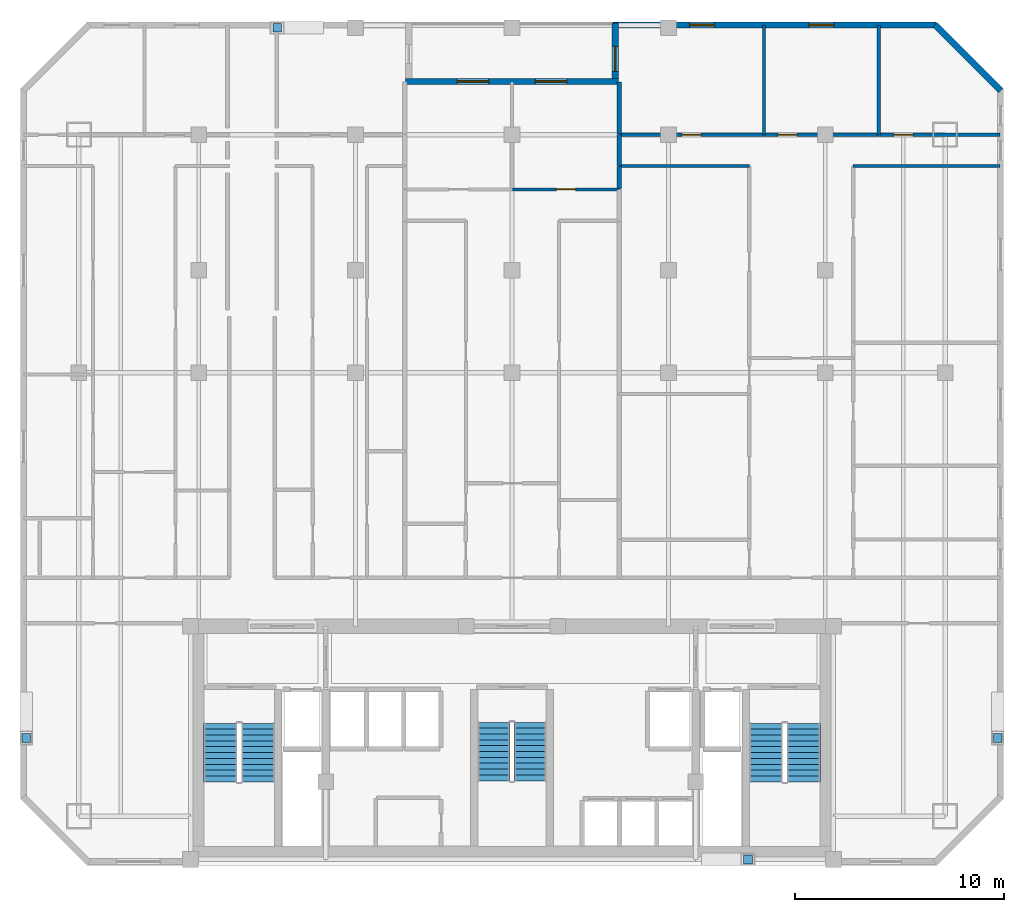
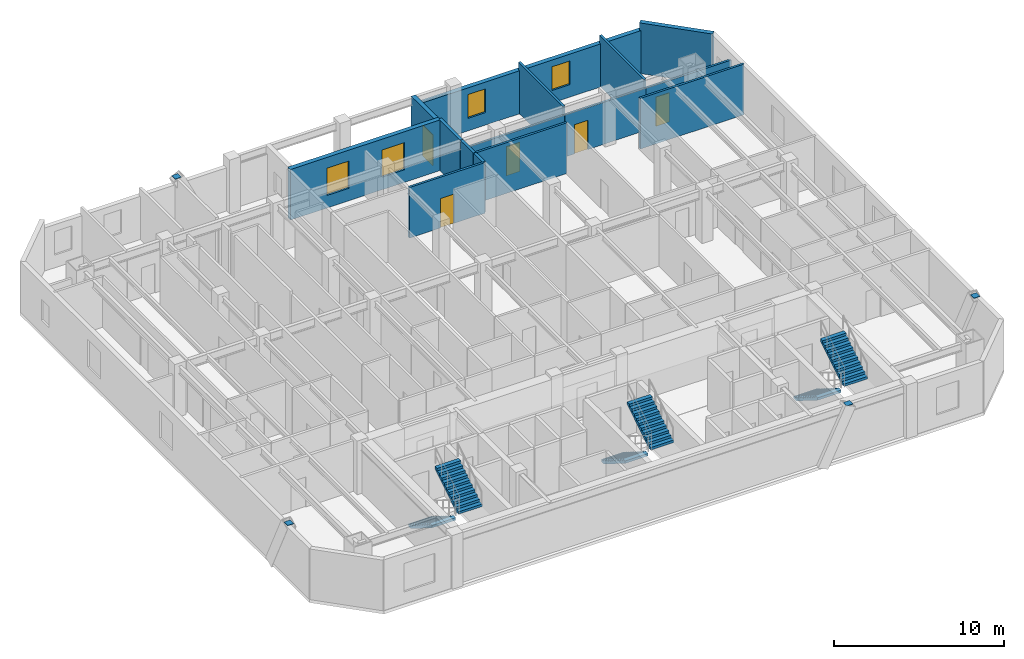
# One storey, part 7 of 8: 15 walls, 6 stair flights, 5 doors, 4 discrete accessories, 4 windows, 9 openings, 3 elements without a shape of their own.
"""IFC4 building model written with IfcOpenShell, lengths in metres."""

from ifc_helpers import new_model, si_unit, direction, frame, frame_2d, origin, origin_2d, place, context, subcontext, project, spatial, polyline, rectangle, outline, extrude, material, layer, layer_set, type_object, element, fill, aggregate, save


model = new_model("IFC4")

# Units and contexts
model_context = context("Model", 3, precision=1e-05, world=origin(), true_north=direction((0.0, 1.0)))
body_context = subcontext(model_context, "Body", "Model", "MODEL_VIEW")
ifc_project = project(units=[si_unit("LENGTHUNIT", "METRE"), si_unit("AREAUNIT", "SQUARE_METRE"), si_unit("VOLUMEUNIT", "CUBIC_METRE"), si_unit("PLANEANGLEUNIT", "RADIAN"), si_unit("MASSUNIT", "GRAM", prefix="KILO")], contexts=[model_context])

# Site, building, storey
site_placement = place(None, origin())
site = spatial("IfcSite", under=ifc_project, at=site_placement, CompositionType="ELEMENT")
building_placement = place(site_placement, origin())
building = spatial("IfcBuilding", under=site, at=building_placement, Name="Ventersveld Concourse Tower", CompositionType="ELEMENT")
storey_placement = place(building_placement, frame((0.0, 0.0, 176.0)))
storey = spatial("IfcBuildingStorey", under=building, at=storey_placement, Name="L43", CompositionType="ELEMENT", Elevation=176.0)

# Walls
ifc_material_1 = material(Name="Fire-rated autoclaved aerated masonry blockwork", Category="masonry")
ifc_layer_1 = layer(ifc_material_1, 0.199951171875)
ifc_layer_set_1 = layer_set([ifc_layer_1], Name="Fire-rated autoclaved aerated masonry blockwork")
wall_type_1 = type_object("IfcWallType", Name="WL-DEMISE-200", PredefinedType="PARTITIONING", material=ifc_layer_set_1)
wall_1_placement = place(storey_placement, frame((33.889892578125, 33.4951171875, 0.0), z_axis=(0.0, 0.0, 1.0), x_axis=(0.0, 1.0, 0.0)))
element("IfcWall", 1, at=wall_1_placement, inside=storey, type_object=wall_type_1, Name="L43 Interior Partition SP-L43-43CE-LIV-SP-L43-43CM-BR2", PredefinedType="PARTITIONING", context=body_context, shape_type="SweptSolid", body=[
    extrude(rectangle(XDim=1.509765625, YDim=0.199951171875, at=frame_2d((0.7548828125, 0.0))), origin(), (0.0, 0.0, 1.0), 3.6298828125),
])
wall_2_placement = place(storey_placement, frame((33.889892578125, 32.4150390625, 0.0), z_axis=(0.0, 0.0, 1.0), x_axis=(0.0, 1.0, 0.0)))
element("IfcWall", 2, at=wall_2_placement, inside=storey, type_object=wall_type_1, Name="L43 Interior Partition SP-L43-43CE-DENL2-SP-L43-43CM-BR2", PredefinedType="PARTITIONING", context=body_context, shape_type="SweptSolid", body=[
    extrude(rectangle(XDim=1.050048828125, YDim=0.199951171875, at=frame_2d((0.52490234375, 0.0))), origin(), (0.0, 0.0, 1.0), 3.6298828125),
])
wall_3_placement = place(storey_placement, frame((33.889892578125, 35.034912109375, 0.0), z_axis=(0.0, 0.0, 1.0), x_axis=(0.0, 1.0, 0.0)))
element("IfcWall", 3, at=wall_3_placement, inside=storey, type_object=wall_type_1, Name="L43 Interior Partition SP-L43-43CE-BR1-SP-L43-43CM-BR2", PredefinedType="PARTITIONING", context=body_context, shape_type="SweptSolid", body=[
    extrude(rectangle(XDim=2.498291015625, YDim=0.199951171875, at=frame_2d((1.2490234375, 0.0))), origin(), (0.0, 0.0, 1.0), 3.6298828125),
])
ifc_material_2 = material(Name="Autoclaved aerated masonry blockwork", Category="masonry")
ifc_layer_2 = layer(ifc_material_2, 0.14990234375)
ifc_layer_set_2 = layer_set([ifc_layer_2], Name="Autoclaved aerated masonry blockwork")
wall_type_2 = type_object("IfcWallType", Name="WL-INT-150", PredefinedType="PARTITIONING", material=ifc_layer_set_2)
wall_4_placement = place(storey_placement, frame((33.885009765625, 33.5, 0.0), z_axis=(0.0, 0.0, 1.0), x_axis=(1.0, 0.0, 0.0)))
element("IfcWall", 4, at=wall_4_placement, inside=storey, type_object=wall_type_2, Name="L43 Interior Partition SP-L43-43CE-LIV-SP-L43-43CE-DENL2", PredefinedType="PARTITIONING", context=body_context, shape_type="SweptSolid", body=[
    extrude(rectangle(XDim=6.237548828125, YDim=0.14990234375, at=frame_2d((3.11865234375, 0.0))), origin(), (0.0, 0.0, 1.0), 3.6298828125),
])
wall_5_placement = place(storey_placement, frame((45.092529296875, 33.5, 0.0), z_axis=(0.0, 0.0, 1.0), x_axis=(1.0, 0.0, 0.0)))
element("IfcWall", 5, at=wall_5_placement, inside=storey, type_object=wall_type_2, Name="L43 Interior Partition SP-L43-43CE-LIV-SP-L43-43CE-DENS2", PredefinedType="PARTITIONING", context=body_context, shape_type="SweptSolid", body=[
    extrude(rectangle(XDim=7.034912109375, YDim=0.14990234375, at=frame_2d((3.517578125, 0.0))), origin(), (0.0, 0.0, 1.0), 3.6298828125),
])

# Wall, opening, door
wall_6_placement = place(storey_placement, frame((33.885009765625, 35.0, 0.0), z_axis=(0.0, 0.0, 1.0), x_axis=(1.0, 0.0, 0.0)))
wall_6 = element("IfcWall", 6, at=wall_6_placement, inside=storey, type_object=wall_type_2, Name="L43 Interior Partition SP-L43-43CE-LIV-SP-L43-43CE-BR1", PredefinedType="PARTITIONING", context=body_context, shape_type="SweptSolid", body=[
    extrude(rectangle(XDim=6.93505859375, YDim=0.14990234375, at=frame_2d((3.467529296875, 0.0))), origin(), (0.0, 0.0, 1.0), 3.0126953125),
])
opening_1_placement = place(wall_6_placement, frame((3.007568359375, 0.0, 0.0)))
opening_1 = element("IfcOpeningElement", 7, at=opening_1_placement, cuts=wall_6, Name="Opening ID1", PredefinedType="OPENING", context=body_context, shape_type="SweptSolid", body=[
    extrude(rectangle(XDim=0.919921875, YDim=2.10009765625, at=frame_2d((0.4599609375, 1.050048828125))), frame((0.0, 0.0849609375, 0.0), z_axis=(0.0, -1.0, 0.0), x_axis=(1.0, 0.0, 0.0)), (0.0, 0.0, 1.0), 0.169921875),
])
ifc_material_3 = material(Name="Solid-core hardwood veneer timber", Category="wood")
door_type_1 = type_object("IfcDoorType", Name="DR-ROOM-092", OperationType="NOTDEFINED", PredefinedType="DOOR", material=ifc_material_3)
door_1_placement = place(opening_1_placement, origin())
door_1 = element("IfcDoor", 8, at=door_1_placement, inside=storey, type_object=door_type_1, Name="L43 Interior Door SP-L43-43CE-LIV to SP-L43-43CE-BR1 (D-L43-2130)", OperationType="SINGLE_SWING_RIGHT", OverallHeight=2.10009765625, OverallWidth=0.919921875, PredefinedType="DOOR", context=body_context, shape_type="SweptSolid", body=[
    extrude(rectangle(XDim=0.919921875, YDim=2.10009765625, at=frame_2d((0.4599609375, 1.050048828125))), frame((0.0, 0.02490234375, 0.0), z_axis=(0.0, -1.0, 0.0), x_axis=(1.0, 0.0, 0.0)), (0.0, 0.0, 1.0), 0.050048828125),
])
fill(opening_1, door_1)

wall_7_placement = place(storey_placement, frame((40.85009765625, 35.0, 0.0), z_axis=(0.0, 0.0, 1.0), x_axis=(1.0, 0.0, 0.0)))
wall_7 = element("IfcWall", 9, at=wall_7_placement, inside=storey, type_object=wall_type_2, Name="L43 Interior Partition SP-L43-43CE-LIV-SP-L43-43CE-BR2", PredefinedType="PARTITIONING", context=body_context, shape_type="SweptSolid", body=[
    extrude(rectangle(XDim=5.474853515625, YDim=0.14990234375, at=frame_2d((2.7373046875, 0.0))), origin(), (0.0, 0.0, 1.0), 3.0126953125),
])
opening_2_placement = place(wall_7_placement, frame((0.635009765625, 0.0, 0.0)))
opening_2 = element("IfcOpeningElement", 10, at=opening_2_placement, cuts=wall_7, Name="Opening ID1", PredefinedType="OPENING", context=body_context, shape_type="SweptSolid", body=[
    extrude(rectangle(XDim=0.919921875, YDim=2.10009765625, at=frame_2d((0.4599609375, 1.050048828125))), frame((0.0, 0.0849609375, 0.0), z_axis=(0.0, -1.0, 0.0), x_axis=(1.0, 0.0, 0.0)), (0.0, 0.0, 1.0), 0.169921875),
])
door_2_placement = place(opening_2_placement, origin())
door_2 = element("IfcDoor", 11, at=door_2_placement, inside=storey, type_object=door_type_1, Name="L43 Interior Door SP-L43-43CE-LIV to SP-L43-43CE-BR2 (D-L43-2131)", OperationType="SINGLE_SWING_LEFT", OverallHeight=2.10009765625, OverallWidth=0.919921875, PredefinedType="DOOR", context=body_context, shape_type="SweptSolid", body=[
    extrude(rectangle(XDim=0.919921875, YDim=2.10009765625, at=frame_2d((0.4599609375, 1.050048828125))), frame((0.0, 0.02490234375, 0.0), z_axis=(0.0, -1.0, 0.0), x_axis=(1.0, 0.0, 0.0)), (0.0, 0.0, 1.0), 0.050048828125),
])
fill(opening_2, door_2)

wall_8_placement = place(storey_placement, frame((46.35498046875, 35.0, 0.0), z_axis=(0.0, 0.0, 1.0), x_axis=(1.0, 0.0, 0.0)))
wall_8 = element("IfcWall", 12, at=wall_8_placement, inside=storey, type_object=wall_type_2, Name="L43 Interior Partition SP-L43-43CE-LIV-SP-L43-43CE-BR3", PredefinedType="PARTITIONING", context=body_context, shape_type="SweptSolid", body=[
    extrude(rectangle(XDim=5.7724609375, YDim=0.14990234375, at=frame_2d((2.88623046875, 0.0))), origin(), (0.0, 0.0, 1.0), 3.0126953125),
])
opening_3_placement = place(wall_8_placement, frame((0.694580078125, 0.0, 0.0)))
opening_3 = element("IfcOpeningElement", 13, at=opening_3_placement, cuts=wall_8, Name="Opening ID1", PredefinedType="OPENING", context=body_context, shape_type="SweptSolid", body=[
    extrude(rectangle(XDim=0.919921875, YDim=2.10009765625, at=frame_2d((0.4599609375, 1.050048828125))), frame((0.0, 0.0849609375, 0.0), z_axis=(0.0, -1.0, 0.0), x_axis=(1.0, 0.0, 0.0)), (0.0, 0.0, 1.0), 0.169921875),
])
door_3_placement = place(opening_3_placement, origin())
door_3 = element("IfcDoor", 14, at=door_3_placement, inside=storey, type_object=door_type_1, Name="L43 Interior Door SP-L43-43CE-LIV to SP-L43-43CE-BR3 (D-L43-2132)", OperationType="SINGLE_SWING_RIGHT", OverallHeight=2.10009765625, OverallWidth=0.919921875, PredefinedType="DOOR", context=body_context, shape_type="SweptSolid", body=[
    extrude(rectangle(XDim=0.919921875, YDim=2.10009765625, at=frame_2d((0.4599609375, 1.050048828125))), frame((0.0, 0.02490234375, 0.0), z_axis=(0.0, -1.0, 0.0), x_axis=(1.0, 0.0, 0.0)), (0.0, 0.0, 1.0), 0.050048828125),
])
fill(opening_3, door_3)

# Walls
for number, where, z_axis, x_axis, name in (
    (15, (40.81494140625, 34.9951171875, 0.0), (0.0, 0.0, 1.0), (0.0, 1.0, 0.0), "L43 Interior Partition SP-L43-43CE-BR1-SP-L43-43CE-BR2"),
    (16, (46.320068359375, 34.9951171875, 0.0), (0.0, 0.0, 1.0), (0.0, 1.0, 0.0), "L43 Interior Partition SP-L43-43CE-BR2-SP-L43-43CE-BR3"),
):
    element("IfcWall", number, at=place(storey_placement, frame(where, z_axis=z_axis, x_axis=x_axis)), inside=storey, type_object=wall_type_2, Name=name, PredefinedType="PARTITIONING", context=body_context, shape_type="SweptSolid", body=[
        extrude(rectangle(XDim=5.232421875, YDim=0.14990234375, at=frame_2d((2.6162109375, 0.0))), origin(), (0.0, 0.0, 1.0), 3.6298828125),
    ])

# Wall, opening, door
wall_9_placement = place(storey_placement, frame((28.784912109375, 32.3798828125, 0.0), z_axis=(0.0, 0.0, 1.0), x_axis=(1.0, 0.0, 0.0)))
wall_9 = element("IfcWall", 17, at=wall_9_placement, inside=storey, type_object=wall_type_2, Name="L43 Interior Partition SP-L43-43CM-LIV-SP-L43-43CM-BR2", PredefinedType="PARTITIONING", context=body_context, shape_type="SweptSolid", body=[
    extrude(rectangle(XDim=5.110107421875, YDim=0.14990234375, at=frame_2d((2.55517578125, 0.0))), origin(), (0.0, 0.0, 1.0), 3.6298828125),
])
opening_4_placement = place(wall_9_placement, frame((2.094970703125, 0.0, 0.0)))
opening_4 = element("IfcOpeningElement", 18, at=opening_4_placement, cuts=wall_9, Name="Opening ID1", PredefinedType="OPENING", context=body_context, shape_type="SweptSolid", body=[
    extrude(rectangle(XDim=0.919921875, YDim=2.10009765625, at=frame_2d((0.4599609375, 1.050048828125))), frame((0.0, 0.0849609375, 0.0), z_axis=(0.0, -1.0, 0.0), x_axis=(1.0, 0.0, 0.0)), (0.0, 0.0, 1.0), 0.169921875),
])
door_4_placement = place(opening_4_placement, origin())
door_4 = element("IfcDoor", 19, at=door_4_placement, inside=storey, type_object=door_type_1, Name="L43 Interior Door SP-L43-43CM-LIV to SP-L43-43CM-BR2 (D-L43-2140)", OperationType="SINGLE_SWING_RIGHT", OverallHeight=2.10009765625, OverallWidth=0.919921875, PredefinedType="DOOR", context=body_context, shape_type="SweptSolid", body=[
    extrude(rectangle(XDim=0.919921875, YDim=2.10009765625, at=frame_2d((0.4599609375, 1.050048828125))), frame((0.0, 0.02490234375, 0.0), z_axis=(0.0, -1.0, 0.0), x_axis=(1.0, 0.0, 0.0)), (0.0, 0.0, 1.0), 0.050048828125),
])
fill(opening_4, door_4)

# Wall
ifc_material_4 = material(Name="Precast concrete C45/55", Category="concrete")
ifc_layer_3 = layer(ifc_material_4, 0.300048828125)
ifc_layer_set_3 = layer_set([ifc_layer_3], Name="Precast concrete C45/55")
wall_type_3 = type_object("IfcWallType", Name="WL-PREC-300", PredefinedType="SOLIDWALL", material=ifc_layer_set_3)
wall_10_placement = place(storey_placement, frame((52.16552734375, 37.122314453125, 0.0), z_axis=(0.0, 0.0, 1.0), x_axis=(-0.707106781187, 0.707106781187, 0.0)))
element("IfcWall", 20, at=wall_10_placement, inside=storey, type_object=wall_type_3, Name="L43 Highveld Precast Facade Wall E04", PredefinedType="SOLIDWALL", context=body_context, shape_type="SweptSolid", body=[
    extrude(rectangle(XDim=4.4453125, YDim=0.300048828125, at=frame_2d((2.22265625, 0.0))), origin(), (0.0, 0.0, 1.0), 3.6298828125),
])

# Wall, openings, windows
wall_11_placement = place(storey_placement, frame((49.06005859375, 40.25, 0.0), z_axis=(0.0, 0.0, 1.0), x_axis=(-1.0, 0.0, 0.0)))
wall_11 = element("IfcWall", 21, at=wall_11_placement, inside=storey, type_object=wall_type_3, Name="L43 Highveld Precast Facade Wall E05", PredefinedType="SOLIDWALL", context=body_context, shape_type="SweptSolid", body=[
    extrude(rectangle(XDim=15.469970703125, YDim=0.300048828125, at=frame_2d((7.73486328125, 0.0))), origin(), (0.0, 0.0, 1.0), 3.08544921875),
])
opening_5_placement = place(wall_11_placement, frame((10.601318359375, 0.0, 0.89990234375)))
opening_5 = element("IfcOpeningElement", 22, at=opening_5_placement, cuts=wall_11, Name="Opening W3", PredefinedType="OPENING", context=body_context, shape_type="SweptSolid", body=[
    extrude(rectangle(XDim=1.199951171875, YDim=1.699951171875, at=frame_2d((0.60009765625, 0.85009765625))), frame((0.0, 0.16015625, 0.0), z_axis=(0.0, -1.0, 0.0), x_axis=(1.0, 0.0, 0.0)), (0.0, 0.0, 1.0), 0.320068359375),
])
opening_6_placement = place(wall_11_placement, frame((4.892578125, 0.0, 0.89990234375)))
opening_6 = element("IfcOpeningElement", 23, at=opening_6_placement, cuts=wall_11, Name="Opening W3", PredefinedType="OPENING", context=body_context, shape_type="SweptSolid", body=[
    extrude(rectangle(XDim=1.199951171875, YDim=1.699951171875, at=frame_2d((0.60009765625, 0.85009765625))), frame((0.0, 0.16015625, 0.0), z_axis=(0.0, -1.0, 0.0), x_axis=(1.0, 0.0, 0.0)), (0.0, 0.0, 1.0), 0.320068359375),
])
ifc_material_5 = material(Name="Tempered acoustic Low-E IGU", Category="glass")
window_type_1 = type_object("IfcWindowType", Name="WIN-120x180", PartitioningType="SINGLE_PANEL", PredefinedType="WINDOW", material=ifc_material_5)
window_1_placement = place(opening_5_placement, origin())
window_1 = element("IfcWindow", 24, at=window_1_placement, inside=storey, type_object=window_type_1, Name="L43 Punched Low-E Window W-0595", OverallHeight=1.699951171875, OverallWidth=1.199951171875, PartitioningType="SINGLE_PANEL", PredefinedType="WINDOW", context=body_context, shape_type="SweptSolid", body=[
    extrude(rectangle(XDim=1.199951171875, YDim=1.699951171875, at=frame_2d((0.60009765625, 0.85009765625))), frame((0.0, 0.030029296875, 0.0), z_axis=(0.0, -1.0, 0.0), x_axis=(1.0, 0.0, 0.0)), (0.0, 0.0, 1.0), 0.06005859375),
])
fill(opening_5, window_1)
window_2_placement = place(opening_6_placement, origin())
window_2 = element("IfcWindow", 25, at=window_2_placement, inside=storey, type_object=window_type_1, Name="L43 Punched Low-E Window W-0596", OverallHeight=1.699951171875, OverallWidth=1.199951171875, PartitioningType="SINGLE_PANEL", PredefinedType="WINDOW", context=body_context, shape_type="SweptSolid", body=[
    extrude(rectangle(XDim=1.199951171875, YDim=1.699951171875, at=frame_2d((0.60009765625, 0.85009765625))), frame((0.0, 0.030029296875, 0.0), z_axis=(0.0, -1.0, 0.0), x_axis=(1.0, 0.0, 0.0)), (0.0, 0.0, 1.0), 0.06005859375),
])
fill(opening_6, window_2)

# Wall, opening, door
wall_12_placement = place(storey_placement, frame((33.699951171875, 40.360107421875, 0.0), z_axis=(0.0, 0.0, 1.0), x_axis=(0.0, -1.0, 0.0)))
wall_12 = element("IfcWall", 26, at=wall_12_placement, inside=storey, type_object=wall_type_3, Name="L43 Highveld Precast Facade Wall E06", PredefinedType="SOLIDWALL", context=body_context, shape_type="SweptSolid", body=[
    extrude(rectangle(XDim=2.66015625, YDim=0.300048828125, at=frame_2d((1.330078125, 0.0))), origin(), (0.0, 0.0, 1.0), 3.6298828125),
])
opening_7_placement = place(wall_12_placement, frame((1.12890625, 0.0, 0.0)))
opening_7 = element("IfcOpeningElement", 27, at=opening_7_placement, cuts=wall_12, Name="Opening TD1", PredefinedType="OPENING", context=body_context, shape_type="SweptSolid", body=[
    extrude(rectangle(XDim=1.199951171875, YDim=2.199951171875, at=frame_2d((0.60009765625, 1.10009765625))), frame((0.0, 0.16015625, 0.0), z_axis=(0.0, -1.0, 0.0), x_axis=(1.0, 0.0, 0.0)), (0.0, 0.0, 1.0), 0.320068359375),
])
ifc_material_6 = material(Name="Anodised aluminium EN AW-6063-T6", Category="aluminium")
door_type_2 = type_object("IfcDoorType", Name="DR-TERR-120", OperationType="NOTDEFINED", PredefinedType="DOOR", material=ifc_material_6)
door_5_placement = place(opening_7_placement, frame((1.199951171875, 0.0, 0.0), z_axis=(0.0, 0.0, 1.0), x_axis=(-1.0, 0.0, 0.0)))
door_5 = element("IfcDoor", 28, at=door_5_placement, inside=storey, type_object=door_type_2, Name="L43 Stepped Valley Terrace Door TD-L43-01", OperationType="SINGLE_SWING_RIGHT", OverallHeight=2.199951171875, OverallWidth=1.199951171875, PredefinedType="DOOR", context=body_context, shape_type="SweptSolid", body=[
    extrude(rectangle(XDim=1.199951171875, YDim=2.199951171875, at=frame_2d((0.60009765625, 1.10009765625))), frame((0.0, 0.02490234375, 0.0), z_axis=(0.0, -1.0, 0.0), x_axis=(1.0, 0.0, 0.0)), (0.0, 0.0, 1.0), 0.050048828125),
])
fill(opening_7, door_5)

# Wall, openings, windows
wall_13_placement = place(storey_placement, frame((33.85009765625, 37.550048828125, 0.0), z_axis=(0.0, 0.0, 1.0), x_axis=(-1.0, 0.0, 0.0)))
wall_13 = element("IfcWall", 29, at=wall_13_placement, inside=storey, type_object=wall_type_3, Name="L43 Highveld Precast Facade Wall E07", PredefinedType="SOLIDWALL", context=body_context, shape_type="SweptSolid", body=[
    extrude(rectangle(XDim=10.2001953125, YDim=0.300048828125, at=frame_2d((5.10009765625, 0.0))), origin(), (0.0, 0.0, 1.0), 3.6298828125),
])
opening_8_placement = place(wall_13_placement, frame((6.2255859375, 0.0, 0.89990234375)))
opening_8 = element("IfcOpeningElement", 30, at=opening_8_placement, cuts=wall_13, Name="Opening W1", PredefinedType="OPENING", context=body_context, shape_type="SweptSolid", body=[
    extrude(rectangle(XDim=1.5, YDim=1.949951171875, at=frame_2d((0.75, 0.97509765625))), frame((0.0, 0.16015625, 0.0), z_axis=(0.0, -1.0, 0.0), x_axis=(1.0, 0.0, 0.0)), (0.0, 0.0, 1.0), 0.320068359375),
])
opening_9_placement = place(wall_13_placement, frame((2.474365234375, 0.0, 0.89990234375)))
opening_9 = element("IfcOpeningElement", 31, at=opening_9_placement, cuts=wall_13, Name="Opening W1", PredefinedType="OPENING", context=body_context, shape_type="SweptSolid", body=[
    extrude(rectangle(XDim=1.5, YDim=1.949951171875, at=frame_2d((0.75, 0.97509765625))), frame((0.0, 0.16015625, 0.0), z_axis=(0.0, -1.0, 0.0), x_axis=(1.0, 0.0, 0.0)), (0.0, 0.0, 1.0), 0.320068359375),
])
window_type_2 = type_object("IfcWindowType", Name="WIN-150x210", PartitioningType="SINGLE_PANEL", PredefinedType="WINDOW", material=ifc_material_5)
window_3_placement = place(opening_8_placement, origin())
window_3 = element("IfcWindow", 32, at=window_3_placement, inside=storey, type_object=window_type_2, Name="L43 Punched Low-E Window W-0598", OverallHeight=1.949951171875, OverallWidth=1.5, PartitioningType="SINGLE_PANEL", PredefinedType="WINDOW", context=body_context, shape_type="SweptSolid", body=[
    extrude(rectangle(XDim=1.5, YDim=1.949951171875, at=frame_2d((0.75, 0.97509765625))), frame((0.0, 0.030029296875, 0.0), z_axis=(0.0, -1.0, 0.0), x_axis=(1.0, 0.0, 0.0)), (0.0, 0.0, 1.0), 0.06005859375),
])
fill(opening_8, window_3)
window_4_placement = place(opening_9_placement, origin())
window_4 = element("IfcWindow", 33, at=window_4_placement, inside=storey, type_object=window_type_2, Name="L43 Punched Low-E Window W-0599", OverallHeight=1.949951171875, OverallWidth=1.5, PartitioningType="SINGLE_PANEL", PredefinedType="WINDOW", context=body_context, shape_type="SweptSolid", body=[
    extrude(rectangle(XDim=1.5, YDim=1.949951171875, at=frame_2d((0.75, 0.97509765625))), frame((0.0, 0.030029296875, 0.0), z_axis=(0.0, -1.0, 0.0), x_axis=(1.0, 0.0, 0.0)), (0.0, 0.0, 1.0), 0.06005859375),
])
fill(opening_9, window_4)

# Stair, stair flights
ifc_material_7 = material(Name="Concrete C50/60", Category="concrete")
stair_type_1 = type_object("IfcStairType", Name="ST-DOG-155", PredefinedType="HALF_TURN_STAIR", material=ifc_material_7)
stair_1_placement = place(storey_placement, origin())
stair_1 = element("IfcStair", 34, at=stair_1_placement, inside=storey, type_object=stair_type_1, Name="L43 Protected Central Core Escape Stair ST-03", PredefinedType="HALF_TURN_STAIR")
stair_flight_type_1 = type_object("IfcStairFlightType", Name="STF-RC-155", PredefinedType="STRAIGHT", material=ifc_material_7)
stair_flight_1_placement = place(storey_placement, frame((27.875, 6.85009765625, 0.0), z_axis=(0.0, 0.0, 1.0), x_axis=(0.0, -1.0, 0.0)))
stair_flight_1 = element("IfcStairFlight", 35, at=stair_flight_1_placement, type_object=stair_flight_type_1, Name="ST-03 flight 1", NumberOfRisers=11, NumberOfTreads=10, PredefinedType="STRAIGHT", RiserHeight=0.175, TreadLength=0.28, context=body_context, shape_type="SweptSolid", body=[
    extrude(outline(polyline([(0.0, 0.0), (0.0, 0.175048828125), (0.280029296875, 0.175048828125), (0.280029296875, 0.35009765625), (0.56005859375, 0.35009765625), (0.56005859375, 0.52490234375), (0.840087890625, 0.52490234375), (0.840087890625, 0.699951171875), (1.1201171875, 0.699951171875), (1.1201171875, 0.875), (1.39990234375, 0.875), (1.39990234375, 1.050048828125), (1.679931640625, 1.050048828125), (1.679931640625, 1.22509765625), (1.9599609375, 1.22509765625), (1.9599609375, 1.39990234375), (2.239990234375, 1.39990234375), (2.239990234375, 1.574951171875), (2.52001953125, 1.574951171875), (2.52001953125, 1.75), (2.800048828125, 1.75), (2.800048828125, 1.925048828125), (2.800048828125, 1.5732421875), (0.28271484375, 0.0), (0.0, 0.0)])), frame((0.0, 0.77490234375, 0.0), z_axis=(0.0, -1.0, 0.0), x_axis=(1.0, 0.0, 0.0)), (0.0, 0.0, 1.0), 1.550048828125),
])
stair_flight_2_placement = place(storey_placement, frame((29.625, 4.050048828125, 1.925048828125), z_axis=(0.0, 0.0, 1.0), x_axis=(0.0, 1.0, 0.0)))
stair_flight_2 = element("IfcStairFlight", 36, at=stair_flight_2_placement, type_object=stair_flight_type_1, Name="ST-03 flight 2", NumberOfRisers=11, NumberOfTreads=10, PredefinedType="STRAIGHT", RiserHeight=0.175, TreadLength=0.28, context=body_context, shape_type="SweptSolid", body=[
    extrude(outline(polyline([(0.0, 0.0), (0.0, 0.175048828125), (0.280029296875, 0.175048828125), (0.280029296875, 0.35009765625), (0.56005859375, 0.35009765625), (0.56005859375, 0.52490234375), (0.840087890625, 0.52490234375), (0.840087890625, 0.699951171875), (1.1201171875, 0.699951171875), (1.1201171875, 0.875), (1.39990234375, 0.875), (1.39990234375, 1.050048828125), (1.679931640625, 1.050048828125), (1.679931640625, 1.22509765625), (1.9599609375, 1.22509765625), (1.9599609375, 1.39990234375), (2.239990234375, 1.39990234375), (2.239990234375, 1.574951171875), (2.52001953125, 1.574951171875), (2.52001953125, 1.75), (2.800048828125, 1.75), (2.800048828125, 1.925048828125), (2.800048828125, 1.5732421875), (0.28271484375, 0.0), (0.0, 0.0)])), frame((0.0, 0.77490234375, 0.0), z_axis=(0.0, -1.0, 0.0), x_axis=(1.0, 0.0, 0.0)), (0.0, 0.0, 1.0), 1.550048828125),
])
aggregate(stair_1, [stair_flight_1, stair_flight_2])

stair_type_2 = type_object("IfcStairType", Name="ST-DOG-160", PredefinedType="HALF_TURN_STAIR", material=ifc_material_7)
stair_2_placement = place(storey_placement, origin())
stair_2 = element("IfcStair", 37, at=stair_2_placement, inside=storey, type_object=stair_type_2, Name="L43 Protected Tower Escape Stair ST-01", PredefinedType="HALF_TURN_STAIR")
stair_flight_type_2 = type_object("IfcStairFlightType", Name="STF-RC-160", PredefinedType="STRAIGHT", material=ifc_material_7)
stair_flight_3_placement = place(storey_placement, frame((14.780029296875, 6.800048828125, 0.0), z_axis=(0.0, 0.0, 1.0), x_axis=(0.0, -1.0, 0.0)))
stair_flight_3 = element("IfcStairFlight", 38, at=stair_flight_3_placement, type_object=stair_flight_type_2, Name="ST-01 flight 1", NumberOfRisers=11, NumberOfTreads=10, PredefinedType="STRAIGHT", RiserHeight=0.175, TreadLength=0.28, context=body_context, shape_type="SweptSolid", body=[
    extrude(outline(polyline([(0.0, 0.0), (0.0, 0.175048828125), (0.280029296875, 0.175048828125), (0.280029296875, 0.35009765625), (0.56005859375, 0.35009765625), (0.56005859375, 0.52490234375), (0.840087890625, 0.52490234375), (0.840087890625, 0.699951171875), (1.1201171875, 0.699951171875), (1.1201171875, 0.875), (1.39990234375, 0.875), (1.39990234375, 1.050048828125), (1.679931640625, 1.050048828125), (1.679931640625, 1.22509765625), (1.9599609375, 1.22509765625), (1.9599609375, 1.39990234375), (2.239990234375, 1.39990234375), (2.239990234375, 1.574951171875), (2.52001953125, 1.574951171875), (2.52001953125, 1.75), (2.800048828125, 1.75), (2.800048828125, 1.925048828125), (2.800048828125, 1.5732421875), (0.28271484375, 0.0), (0.0, 0.0)])), frame((0.0, 0.800048828125, 0.0), z_axis=(0.0, -1.0, 0.0), x_axis=(1.0, 0.0, 0.0)), (0.0, 0.0, 1.0), 1.60009765625),
])
stair_flight_4_placement = place(storey_placement, frame((16.580078125, 4.0, 1.925048828125), z_axis=(0.0, 0.0, 1.0), x_axis=(0.0, 1.0, 0.0)))
stair_flight_4 = element("IfcStairFlight", 39, at=stair_flight_4_placement, type_object=stair_flight_type_2, Name="ST-01 flight 2", NumberOfRisers=11, NumberOfTreads=10, PredefinedType="STRAIGHT", RiserHeight=0.175, TreadLength=0.28, context=body_context, shape_type="SweptSolid", body=[
    extrude(outline(polyline([(0.0, 0.0), (0.0, 0.175048828125), (0.280029296875, 0.175048828125), (0.280029296875, 0.35009765625), (0.56005859375, 0.35009765625), (0.56005859375, 0.52490234375), (0.840087890625, 0.52490234375), (0.840087890625, 0.699951171875), (1.1201171875, 0.699951171875), (1.1201171875, 0.875), (1.39990234375, 0.875), (1.39990234375, 1.050048828125), (1.679931640625, 1.050048828125), (1.679931640625, 1.22509765625), (1.9599609375, 1.22509765625), (1.9599609375, 1.39990234375), (2.239990234375, 1.39990234375), (2.239990234375, 1.574951171875), (2.52001953125, 1.574951171875), (2.52001953125, 1.75), (2.800048828125, 1.75), (2.800048828125, 1.925048828125), (2.800048828125, 1.5732421875), (0.28271484375, 0.0), (0.0, 0.0)])), frame((0.0, 0.800048828125, 0.0), z_axis=(0.0, -1.0, 0.0), x_axis=(1.0, 0.0, 0.0)), (0.0, 0.0, 1.0), 1.60009765625),
])
aggregate(stair_2, [stair_flight_3, stair_flight_4])

stair_3_placement = place(storey_placement, origin())
stair_3 = element("IfcStair", 40, at=stair_3_placement, inside=storey, type_object=stair_type_2, Name="L43 Protected Tower Escape Stair ST-02", PredefinedType="HALF_TURN_STAIR")
stair_flight_5_placement = place(storey_placement, frame((40.919921875, 6.800048828125, 0.0), z_axis=(0.0, 0.0, 1.0), x_axis=(0.0, -1.0, 0.0)))
stair_flight_5 = element("IfcStairFlight", 41, at=stair_flight_5_placement, type_object=stair_flight_type_2, Name="ST-02 flight 1", NumberOfRisers=11, NumberOfTreads=10, PredefinedType="STRAIGHT", RiserHeight=0.175, TreadLength=0.28, context=body_context, shape_type="SweptSolid", body=[
    extrude(outline(polyline([(0.0, 0.0), (0.0, 0.175048828125), (0.280029296875, 0.175048828125), (0.280029296875, 0.35009765625), (0.56005859375, 0.35009765625), (0.56005859375, 0.52490234375), (0.840087890625, 0.52490234375), (0.840087890625, 0.699951171875), (1.1201171875, 0.699951171875), (1.1201171875, 0.875), (1.39990234375, 0.875), (1.39990234375, 1.050048828125), (1.679931640625, 1.050048828125), (1.679931640625, 1.22509765625), (1.9599609375, 1.22509765625), (1.9599609375, 1.39990234375), (2.239990234375, 1.39990234375), (2.239990234375, 1.574951171875), (2.52001953125, 1.574951171875), (2.52001953125, 1.75), (2.800048828125, 1.75), (2.800048828125, 1.925048828125), (2.800048828125, 1.5732421875), (0.28271484375, 0.0), (0.0, 0.0)])), frame((0.0, 0.800048828125, 0.0), z_axis=(0.0, -1.0, 0.0), x_axis=(1.0, 0.0, 0.0)), (0.0, 0.0, 1.0), 1.60009765625),
])
stair_flight_6_placement = place(storey_placement, frame((42.719970703125, 4.0, 1.925048828125), z_axis=(0.0, 0.0, 1.0), x_axis=(0.0, 1.0, 0.0)))
stair_flight_6 = element("IfcStairFlight", 42, at=stair_flight_6_placement, type_object=stair_flight_type_2, Name="ST-02 flight 2", NumberOfRisers=11, NumberOfTreads=10, PredefinedType="STRAIGHT", RiserHeight=0.175, TreadLength=0.28, context=body_context, shape_type="SweptSolid", body=[
    extrude(outline(polyline([(0.0, 0.0), (0.0, 0.175048828125), (0.280029296875, 0.175048828125), (0.280029296875, 0.35009765625), (0.56005859375, 0.35009765625), (0.56005859375, 0.52490234375), (0.840087890625, 0.52490234375), (0.840087890625, 0.699951171875), (1.1201171875, 0.699951171875), (1.1201171875, 0.875), (1.39990234375, 0.875), (1.39990234375, 1.050048828125), (1.679931640625, 1.050048828125), (1.679931640625, 1.22509765625), (1.9599609375, 1.22509765625), (1.9599609375, 1.39990234375), (2.239990234375, 1.39990234375), (2.239990234375, 1.574951171875), (2.52001953125, 1.574951171875), (2.52001953125, 1.75), (2.800048828125, 1.75), (2.800048828125, 1.925048828125), (2.800048828125, 1.5732421875), (0.28271484375, 0.0), (0.0, 0.0)])), frame((0.0, 0.800048828125, 0.0), z_axis=(0.0, -1.0, 0.0), x_axis=(1.0, 0.0, 0.0)), (0.0, 0.0, 1.0), 1.60009765625),
])
aggregate(stair_3, [stair_flight_5, stair_flight_6])

# Discrete accessories
ifc_material_8 = material(Name="Structural steel S355J2", Category="steel")
discrete_accessory_type = type_object("IfcDiscreteAccessoryType", Name="CONN-BRACE-ECP1", PredefinedType="BRACKET", material=ifc_material_8)
for number, where, z_axis, x_axis, name in (
    (43, (17.5, 40.1201171875, 3.60986328125), (0.0, 0.0, 1.0), (1.0, 0.0, 0.0), "L43 Steel Brace End Connection Plate ECP1-0353"),
    (44, (40.050048828125, 0.280029296875, 3.60986328125), (0.0, 0.0, 1.0), (1.0, 0.0, 0.0), "L43 Steel Brace End Connection Plate ECP1-0357"),
    (45, (5.47998046875, 6.10009765625, 3.60986328125), (0.0, 0.0, 1.0), (1.0, 0.0, 0.0), "L43 Steel Brace End Connection Plate ECP1-0361"),
    (46, (52.02001953125, 6.10009765625, 3.60986328125), (0.0, 0.0, 1.0), (1.0, 0.0, 0.0), "L43 Steel Brace End Connection Plate ECP1-0365"),
):
    element("IfcDiscreteAccessory", number, at=place(storey_placement, frame(where, z_axis=z_axis, x_axis=x_axis)), inside=storey, type_object=discrete_accessory_type, Name=name, PredefinedType="BRACKET", context=body_context, shape_type="SweptSolid", body=[
        extrude(rectangle(XDim=0.419921875, YDim=0.419921875, at=origin_2d()), origin(), (0.0, 0.0, 1.0), 0.0400390625),
    ])

save(model, "model.ifc")
